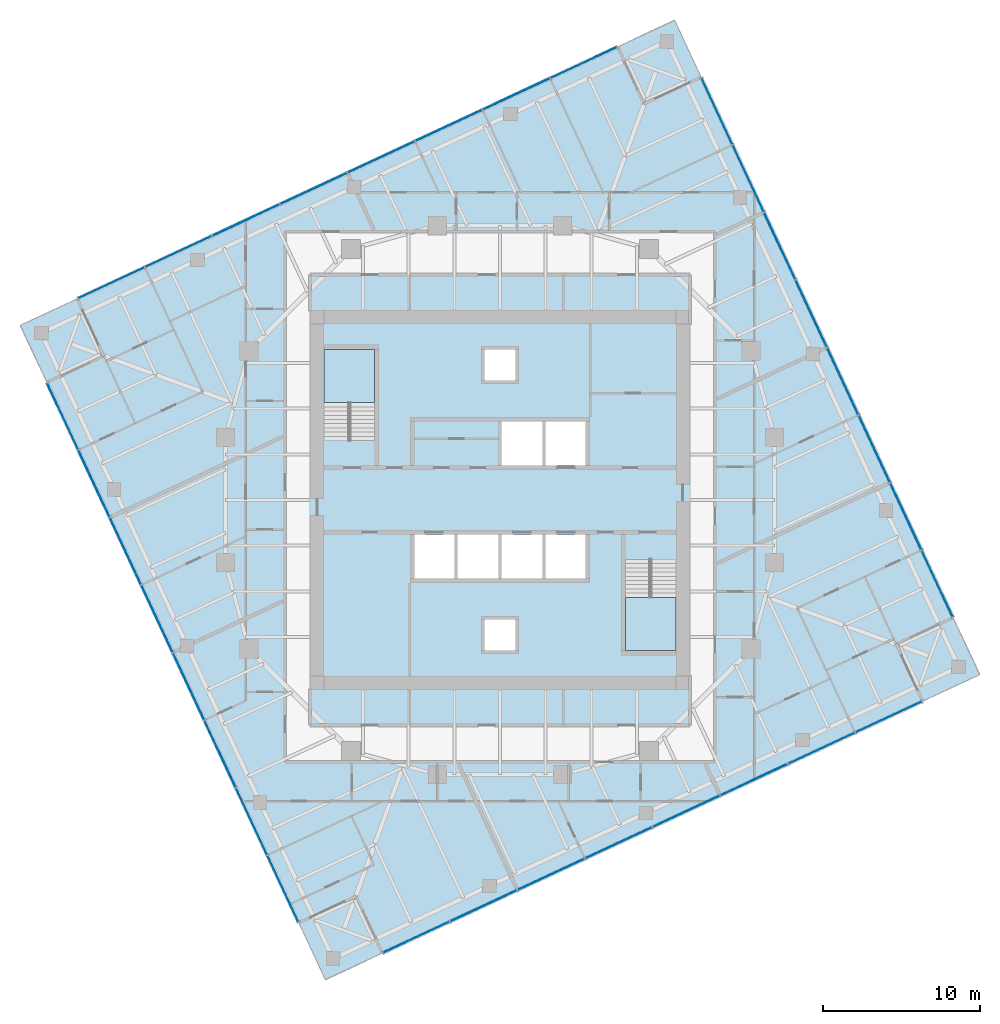
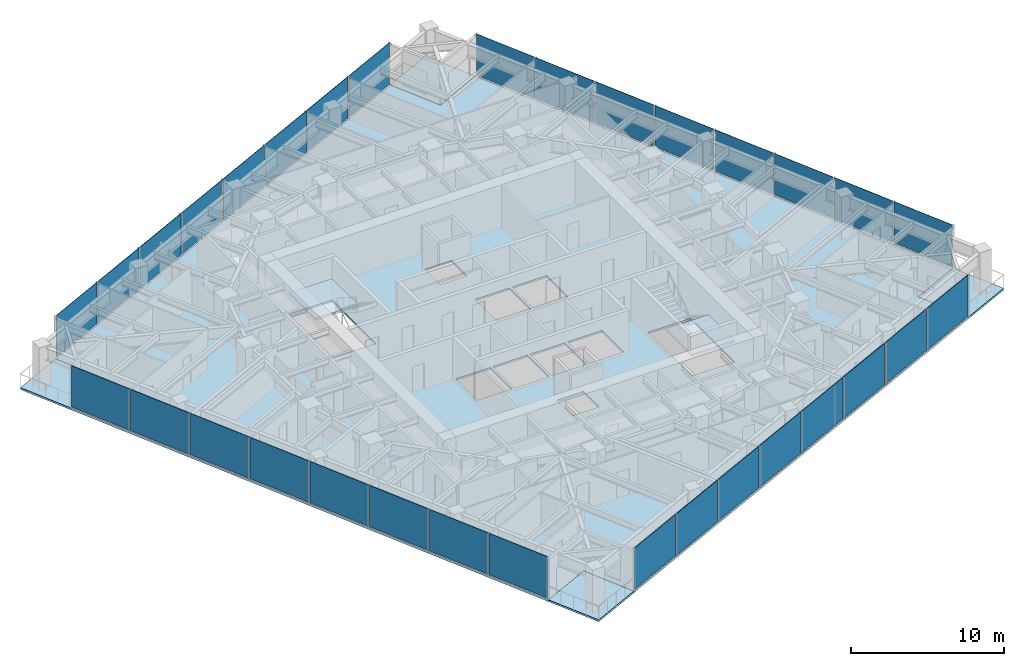
# One storey, part 6 of 12: 32 plates, 7 slabs, 6 elements without a shape of their own.
"""IFC4 building model written with IfcOpenShell, lengths in metres."""

from ifc_helpers import new_model, si_unit, direction, frame, origin, origin_2d, place, context, subcontext, project, spatial, polyline, rectangle, outline, extrude, material, layer, layer_set, type_object, element, aggregate, save


model = new_model("IFC4")

# Units and contexts
model_context = context("Model", 3, precision=1e-05, world=origin(), true_north=direction((0.0, 1.0)))
body_context = subcontext(model_context, "Body", "Model", "MODEL_VIEW")
ifc_project = project(units=[si_unit("LENGTHUNIT", "METRE"), si_unit("AREAUNIT", "SQUARE_METRE"), si_unit("VOLUMEUNIT", "CUBIC_METRE"), si_unit("PLANEANGLEUNIT", "RADIAN"), si_unit("MASSUNIT", "GRAM", prefix="KILO")], contexts=[model_context])

# Site, building, storey
site_placement = place(None, origin())
site = spatial("IfcSite", under=ifc_project, at=site_placement, CompositionType="ELEMENT")
building_placement = place(site_placement, origin())
building = spatial("IfcBuilding", under=site, at=building_placement, Name="Torsade Residences", CompositionType="ELEMENT")
storey_placement = place(building_placement, frame((0.0, 0.0, 193.0)))
storey = spatial("IfcBuildingStorey", under=building, at=storey_placement, Name="L53", CompositionType="ELEMENT", Elevation=193.0)

# Slab
ifc_material_1 = material(Name="Concrete 40 MPa", Category="concrete")
ifc_layer_1 = layer(ifc_material_1, 0.14990234375)
ifc_layer_set_1 = layer_set([ifc_layer_1], Name="Concrete 40 MPa")
slab_type_1 = type_object("IfcSlabType", Name="COMPOSITE FLOOR SLAB 150", PredefinedType="FLOOR", material=ifc_layer_set_1)
slab_1_placement = place(storey_placement, frame((0.0, 0.0, -0.14990234375)))
element("IfcSlab", 1, at=slab_1_placement, inside=storey, type_object=slab_type_1, Name="Floor slab L53", PredefinedType="FLOOR", context=body_context, shape_type="SweptSolid", body=[
    extrude(outline(polyline([(32.50048828125, 1.125244140625), (66.940185546875, 17.1845703125), (65.24951171875, 20.809814453125), (68.874755859375, 22.50048828125), (52.8154296875, 56.940185546875), (49.190185546875, 55.24951171875), (47.49951171875, 58.874755859375), (13.059814453125, 42.8154296875), (14.75048828125, 39.190185546875), (11.125244140625, 37.49951171875), (27.1845703125, 3.059814453125), (30.809814453125, 4.75048828125), (32.50048828125, 1.125244140625)]), holes=[polyline([(51.199951171875, 26.1201171875), (48.0, 26.1201171875), (48.0, 20.39990234375), (51.199951171875, 20.39990234375), (51.199951171875, 26.1201171875)]), polyline([(45.5, 27.800048828125), (42.89990234375, 27.800048828125), (42.89990234375, 25.0), (45.5, 25.0), (45.5, 27.800048828125)]), polyline([(45.5, 35.0), (42.89990234375, 35.0), (42.89990234375, 32.199951171875), (45.5, 32.199951171875), (45.5, 35.0)]), polyline([(42.699951171875, 25.0), (42.699951171875, 27.800048828125), (40.10009765625, 27.800048828125), (40.10009765625, 25.0), (42.699951171875, 25.0)]), polyline([(42.699951171875, 35.0), (40.10009765625, 35.0), (40.10009765625, 32.199951171875), (42.699951171875, 32.199951171875), (42.699951171875, 35.0)]), polyline([(41.0, 22.39990234375), (39.0, 22.39990234375), (39.0, 20.39990234375), (41.0, 20.39990234375), (41.0, 22.39990234375)]), polyline([(41.0, 37.60009765625), (41.0, 39.60009765625), (39.0, 39.60009765625), (39.0, 37.60009765625), (41.0, 37.60009765625)]), polyline([(39.89990234375, 25.0), (39.89990234375, 27.800048828125), (37.300048828125, 27.800048828125), (37.300048828125, 25.0), (39.89990234375, 25.0)]), polyline([(37.10009765625, 27.800048828125), (34.5, 27.800048828125), (34.5, 25.0), (37.10009765625, 25.0), (37.10009765625, 27.800048828125)]), polyline([(32.0, 33.8798828125), (32.0, 39.60009765625), (28.800048828125, 39.60009765625), (28.800048828125, 33.8798828125), (32.0, 33.8798828125)])]), origin(), (0.0, 0.0, 1.0), 0.14990234375),
])

# Curtain wall, plates
ifc_material_2 = material(Name="Aluminium and glass", Category="aluminium")
curtain_wall_type = type_object("IfcCurtainWallType", Name="FRITTED GLASS CURTAIN WALL MID ZONE", PredefinedType="NOTDEFINED", material=ifc_material_2)
curtain_wall_1_placement = place(storey_placement, origin())
curtain_wall_1 = element("IfcCurtainWall", 2, at=curtain_wall_1_placement, inside=storey, type_object=curtain_wall_type, Name="Curtain wall L53 face 1", PredefinedType="NOTDEFINED")
ifc_material_3 = material(Name="Laminated glass", Category="glass")
ifc_layer_2 = layer(ifc_material_3, 0.031982421875)
ifc_layer_set_2 = layer_set([ifc_layer_2], Name="Laminated glass")
plate_type_1 = type_object("IfcPlateType", Name="FRITTED GLASS PANEL", PredefinedType="CURTAIN_PANEL", material=ifc_layer_set_2)
plate_1_placement = place(storey_placement, frame((34.6708984375, 2.137451171875, 0.10986328125), z_axis=(0.0, 0.0, 1.0), x_axis=(0.906307786926, 0.422618261978, 0.0)))
plate_1 = element("IfcPlate", 3, at=plate_1_placement, type_object=plate_type_1, Name="Panel 1", PredefinedType="CURTAIN_PANEL", context=body_context, shape_type="SweptSolid", body=[
    extrude(rectangle(XDim=4.6298828125, YDim=0.031982421875, at=origin_2d()), origin(), (0.0, 0.0, 1.0), 3.2900390625),
])
plate_2_placement = place(storey_placement, frame((43.2626953125, 6.143798828125, 0.10986328125), z_axis=(0.0, 0.0, 1.0), x_axis=(0.906307786926, 0.422618261978, 0.0)))
plate_2 = element("IfcPlate", 4, at=plate_2_placement, type_object=plate_type_1, Name="Panel 3", PredefinedType="CURTAIN_PANEL", context=body_context, shape_type="SweptSolid", body=[
    extrude(rectangle(XDim=4.669921875, YDim=0.031982421875, at=origin_2d()), origin(), (0.0, 0.0, 1.0), 3.2900390625),
])
plate_3_placement = place(storey_placement, frame((47.567626953125, 8.151123046875, 0.10986328125), z_axis=(0.0, 0.0, 1.0), x_axis=(0.906307786926, 0.422618261978, 0.0)))
plate_3 = element("IfcPlate", 5, at=plate_3_placement, type_object=plate_type_1, Name="Panel 4", PredefinedType="CURTAIN_PANEL", context=body_context, shape_type="SweptSolid", body=[
    extrude(rectangle(XDim=4.669921875, YDim=0.031982421875, at=origin_2d()), origin(), (0.0, 0.0, 1.0), 3.2900390625),
])
plate_4_placement = place(storey_placement, frame((51.872802734375, 10.15869140625, 0.10986328125), z_axis=(0.0, 0.0, 1.0), x_axis=(0.906307786926, 0.422618261978, 0.0)))
plate_4 = element("IfcPlate", 6, at=plate_4_placement, type_object=plate_type_1, Name="Panel 5", PredefinedType="CURTAIN_PANEL", context=body_context, shape_type="SweptSolid", body=[
    extrude(rectangle(XDim=4.669921875, YDim=0.031982421875, at=origin_2d()), origin(), (0.0, 0.0, 1.0), 3.2900390625),
])
plate_5_placement = place(storey_placement, frame((60.482666015625, 14.173583984375, 0.10986328125), z_axis=(0.0, 0.0, 1.0), x_axis=(0.906307786926, 0.422618261978, 0.0)))
plate_5 = element("IfcPlate", 7, at=plate_5_placement, type_object=plate_type_1, Name="Panel 7", PredefinedType="CURTAIN_PANEL", context=body_context, shape_type="SweptSolid", body=[
    extrude(rectangle(XDim=4.669921875, YDim=0.031982421875, at=origin_2d()), origin(), (0.0, 0.0, 1.0), 3.2900390625),
])
plate_6_placement = place(storey_placement, frame((64.76953125, 16.172607421875, 0.10986328125), z_axis=(0.0, 0.0, 1.0), x_axis=(0.906307786926, 0.422618261978, 0.0)))
plate_6 = element("IfcPlate", 8, at=plate_6_placement, type_object=plate_type_1, Name="Panel 8", PredefinedType="CURTAIN_PANEL", context=body_context, shape_type="SweptSolid", body=[
    extrude(rectangle(XDim=4.6298828125, YDim=0.031982421875, at=origin_2d()), origin(), (0.0, 0.0, 1.0), 3.2900390625),
])

curtain_wall_2_placement = place(storey_placement, origin())
curtain_wall_2 = element("IfcCurtainWall", 9, at=curtain_wall_2_placement, inside=storey, type_object=curtain_wall_type, Name="Curtain wall L53 face 4", PredefinedType="NOTDEFINED")
plate_7_placement = place(storey_placement, frame((67.862548828125, 24.6708984375, 0.10986328125), z_axis=(0.0, 0.0, 1.0), x_axis=(-0.422618261978, 0.906307786926, 0.0)))
plate_7 = element("IfcPlate", 10, at=plate_7_placement, type_object=plate_type_1, Name="Panel 1", PredefinedType="CURTAIN_PANEL", context=body_context, shape_type="SweptSolid", body=[
    extrude(rectangle(XDim=4.6298828125, YDim=0.031982421875, at=origin_2d()), origin(), (0.0, 0.0, 1.0), 3.2900390625),
])
plate_8_placement = place(storey_placement, frame((63.856201171875, 33.2626953125, 0.10986328125), z_axis=(0.0, 0.0, 1.0), x_axis=(-0.422618261978, 0.906307786926, 0.0)))
plate_8 = element("IfcPlate", 11, at=plate_8_placement, type_object=plate_type_1, Name="Panel 3", PredefinedType="CURTAIN_PANEL", context=body_context, shape_type="SweptSolid", body=[
    extrude(rectangle(XDim=4.669921875, YDim=0.031982421875, at=origin_2d()), origin(), (0.0, 0.0, 1.0), 3.2900390625),
])
plate_9_placement = place(storey_placement, frame((61.848876953125, 37.567626953125, 0.10986328125), z_axis=(0.0, 0.0, 1.0), x_axis=(-0.422618261978, 0.906307786926, 0.0)))
plate_9 = element("IfcPlate", 12, at=plate_9_placement, type_object=plate_type_1, Name="Panel 4", PredefinedType="CURTAIN_PANEL", context=body_context, shape_type="SweptSolid", body=[
    extrude(rectangle(XDim=4.669921875, YDim=0.031982421875, at=origin_2d()), origin(), (0.0, 0.0, 1.0), 3.2900390625),
])
plate_10_placement = place(storey_placement, frame((59.84130859375, 41.872802734375, 0.10986328125), z_axis=(0.0, 0.0, 1.0), x_axis=(-0.422618261978, 0.906307786926, 0.0)))
plate_10 = element("IfcPlate", 13, at=plate_10_placement, type_object=plate_type_1, Name="Panel 5", PredefinedType="CURTAIN_PANEL", context=body_context, shape_type="SweptSolid", body=[
    extrude(rectangle(XDim=4.669921875, YDim=0.031982421875, at=origin_2d()), origin(), (0.0, 0.0, 1.0), 3.2900390625),
])
plate_11_placement = place(storey_placement, frame((55.826416015625, 50.482666015625, 0.10986328125), z_axis=(0.0, 0.0, 1.0), x_axis=(-0.422618261978, 0.906307786926, 0.0)))
plate_11 = element("IfcPlate", 14, at=plate_11_placement, type_object=plate_type_1, Name="Panel 7", PredefinedType="CURTAIN_PANEL", context=body_context, shape_type="SweptSolid", body=[
    extrude(rectangle(XDim=4.669921875, YDim=0.031982421875, at=origin_2d()), origin(), (0.0, 0.0, 1.0), 3.2900390625),
])
plate_12_placement = place(storey_placement, frame((53.827392578125, 54.76953125, 0.10986328125), z_axis=(0.0, 0.0, 1.0), x_axis=(-0.422618261978, 0.906307786926, 0.0)))
plate_12 = element("IfcPlate", 15, at=plate_12_placement, type_object=plate_type_1, Name="Panel 8", PredefinedType="CURTAIN_PANEL", context=body_context, shape_type="SweptSolid", body=[
    extrude(rectangle(XDim=4.6298828125, YDim=0.031982421875, at=origin_2d()), origin(), (0.0, 0.0, 1.0), 3.2900390625),
])

curtain_wall_3_placement = place(storey_placement, origin())
curtain_wall_3 = element("IfcCurtainWall", 16, at=curtain_wall_3_placement, inside=storey, type_object=curtain_wall_type, Name="Curtain wall L53 face 7", PredefinedType="NOTDEFINED")
plate_13_placement = place(storey_placement, frame((45.3291015625, 57.862548828125, 0.10986328125), z_axis=(0.0, 0.0, 1.0), x_axis=(-0.906307786926, -0.422618261978, 0.0)))
plate_13 = element("IfcPlate", 17, at=plate_13_placement, type_object=plate_type_1, Name="Panel 1", PredefinedType="CURTAIN_PANEL", context=body_context, shape_type="SweptSolid", body=[
    extrude(rectangle(XDim=4.6298828125, YDim=0.031982421875, at=origin_2d()), origin(), (0.0, 0.0, 1.0), 3.2900390625),
])
plate_14_placement = place(storey_placement, frame((36.7373046875, 53.856201171875, 0.10986328125), z_axis=(0.0, 0.0, 1.0), x_axis=(-0.906307786926, -0.422618261978, 0.0)))
plate_14 = element("IfcPlate", 18, at=plate_14_placement, type_object=plate_type_1, Name="Panel 3", PredefinedType="CURTAIN_PANEL", context=body_context, shape_type="SweptSolid", body=[
    extrude(rectangle(XDim=4.669921875, YDim=0.031982421875, at=origin_2d()), origin(), (0.0, 0.0, 1.0), 3.2900390625),
])
plate_15_placement = place(storey_placement, frame((32.432373046875, 51.848876953125, 0.10986328125), z_axis=(0.0, 0.0, 1.0), x_axis=(-0.906307786926, -0.422618261978, 0.0)))
plate_15 = element("IfcPlate", 19, at=plate_15_placement, type_object=plate_type_1, Name="Panel 4", PredefinedType="CURTAIN_PANEL", context=body_context, shape_type="SweptSolid", body=[
    extrude(rectangle(XDim=4.669921875, YDim=0.031982421875, at=origin_2d()), origin(), (0.0, 0.0, 1.0), 3.2900390625),
])
plate_16_placement = place(storey_placement, frame((28.127197265625, 49.84130859375, 0.10986328125), z_axis=(0.0, 0.0, 1.0), x_axis=(-0.906307786926, -0.422618261978, 0.0)))
plate_16 = element("IfcPlate", 20, at=plate_16_placement, type_object=plate_type_1, Name="Panel 5", PredefinedType="CURTAIN_PANEL", context=body_context, shape_type="SweptSolid", body=[
    extrude(rectangle(XDim=4.669921875, YDim=0.031982421875, at=origin_2d()), origin(), (0.0, 0.0, 1.0), 3.2900390625),
])
plate_17_placement = place(storey_placement, frame((19.517333984375, 45.826416015625, 0.10986328125), z_axis=(0.0, 0.0, 1.0), x_axis=(-0.906307786926, -0.422618261978, 0.0)))
plate_17 = element("IfcPlate", 21, at=plate_17_placement, type_object=plate_type_1, Name="Panel 7", PredefinedType="CURTAIN_PANEL", context=body_context, shape_type="SweptSolid", body=[
    extrude(rectangle(XDim=4.669921875, YDim=0.031982421875, at=origin_2d()), origin(), (0.0, 0.0, 1.0), 3.2900390625),
])
plate_18_placement = place(storey_placement, frame((15.23046875, 43.827392578125, 0.10986328125), z_axis=(0.0, 0.0, 1.0), x_axis=(-0.906307786926, -0.422618261978, 0.0)))
plate_18 = element("IfcPlate", 22, at=plate_18_placement, type_object=plate_type_1, Name="Panel 8", PredefinedType="CURTAIN_PANEL", context=body_context, shape_type="SweptSolid", body=[
    extrude(rectangle(XDim=4.6298828125, YDim=0.031982421875, at=origin_2d()), origin(), (0.0, 0.0, 1.0), 3.2900390625),
])

curtain_wall_4_placement = place(storey_placement, origin())
curtain_wall_4 = element("IfcCurtainWall", 23, at=curtain_wall_4_placement, inside=storey, type_object=curtain_wall_type, Name="Curtain wall L53 face 10", PredefinedType="NOTDEFINED")
plate_19_placement = place(storey_placement, frame((12.137451171875, 35.3291015625, 0.10986328125), z_axis=(0.0, 0.0, 1.0), x_axis=(0.422618261978, -0.906307786926, 0.0)))
plate_19 = element("IfcPlate", 24, at=plate_19_placement, type_object=plate_type_1, Name="Panel 1", PredefinedType="CURTAIN_PANEL", context=body_context, shape_type="SweptSolid", body=[
    extrude(rectangle(XDim=4.6298828125, YDim=0.031982421875, at=origin_2d()), origin(), (0.0, 0.0, 1.0), 3.2900390625),
])
plate_20_placement = place(storey_placement, frame((16.143798828125, 26.7373046875, 0.10986328125), z_axis=(0.0, 0.0, 1.0), x_axis=(0.422618261978, -0.906307786926, 0.0)))
plate_20 = element("IfcPlate", 25, at=plate_20_placement, type_object=plate_type_1, Name="Panel 3", PredefinedType="CURTAIN_PANEL", context=body_context, shape_type="SweptSolid", body=[
    extrude(rectangle(XDim=4.669921875, YDim=0.031982421875, at=origin_2d()), origin(), (0.0, 0.0, 1.0), 3.2900390625),
])
plate_21_placement = place(storey_placement, frame((18.151123046875, 22.432373046875, 0.10986328125), z_axis=(0.0, 0.0, 1.0), x_axis=(0.422618261978, -0.906307786926, 0.0)))
plate_21 = element("IfcPlate", 26, at=plate_21_placement, type_object=plate_type_1, Name="Panel 4", PredefinedType="CURTAIN_PANEL", context=body_context, shape_type="SweptSolid", body=[
    extrude(rectangle(XDim=4.669921875, YDim=0.031982421875, at=origin_2d()), origin(), (0.0, 0.0, 1.0), 3.2900390625),
])
plate_22_placement = place(storey_placement, frame((20.15869140625, 18.127197265625, 0.10986328125), z_axis=(0.0, 0.0, 1.0), x_axis=(0.422618261978, -0.906307786926, 0.0)))
plate_22 = element("IfcPlate", 27, at=plate_22_placement, type_object=plate_type_1, Name="Panel 5", PredefinedType="CURTAIN_PANEL", context=body_context, shape_type="SweptSolid", body=[
    extrude(rectangle(XDim=4.669921875, YDim=0.031982421875, at=origin_2d()), origin(), (0.0, 0.0, 1.0), 3.2900390625),
])
plate_23_placement = place(storey_placement, frame((24.173583984375, 9.517333984375, 0.10986328125), z_axis=(0.0, 0.0, 1.0), x_axis=(0.422618261978, -0.906307786926, 0.0)))
plate_23 = element("IfcPlate", 28, at=plate_23_placement, type_object=plate_type_1, Name="Panel 7", PredefinedType="CURTAIN_PANEL", context=body_context, shape_type="SweptSolid", body=[
    extrude(rectangle(XDim=4.669921875, YDim=0.031982421875, at=origin_2d()), origin(), (0.0, 0.0, 1.0), 3.2900390625),
])
plate_24_placement = place(storey_placement, frame((26.172607421875, 5.23046875, 0.10986328125), z_axis=(0.0, 0.0, 1.0), x_axis=(0.422618261978, -0.906307786926, 0.0)))
plate_24 = element("IfcPlate", 29, at=plate_24_placement, type_object=plate_type_1, Name="Panel 8", PredefinedType="CURTAIN_PANEL", context=body_context, shape_type="SweptSolid", body=[
    extrude(rectangle(XDim=4.6298828125, YDim=0.031982421875, at=origin_2d()), origin(), (0.0, 0.0, 1.0), 3.2900390625),
])

# Plate
ifc_material_4 = material(Name="Laminated glass", Category="glass")
ifc_layer_3 = layer(ifc_material_4, 0.0400390625)
ifc_layer_set_3 = layer_set([ifc_layer_3], Name="Laminated glass")
plate_type_2 = type_object("IfcPlateType", Name="OPERABLE VENT PANEL", PredefinedType="CURTAIN_PANEL", material=ifc_layer_set_3)
plate_25_placement = place(storey_placement, frame((38.957763671875, 4.13623046875, 0.10986328125), z_axis=(0.0, 0.0, 1.0), x_axis=(0.906307786926, 0.422618261978, 0.0)))
plate_25 = element("IfcPlate", 30, at=plate_25_placement, type_object=plate_type_2, Name="Panel 2", PredefinedType="CURTAIN_PANEL", context=body_context, shape_type="SweptSolid", body=[
    extrude(rectangle(XDim=4.669921875, YDim=0.0400390625, at=origin_2d()), origin(), (0.0, 0.0, 1.0), 3.2900390625),
])

plate_26_placement = place(storey_placement, frame((56.177734375, 12.166015625, 0.10986328125), z_axis=(0.0, 0.0, 1.0), x_axis=(0.906307786926, 0.422618261978, 0.0)))
plate_26 = element("IfcPlate", 31, at=plate_26_placement, type_object=plate_type_2, Name="Panel 6", PredefinedType="CURTAIN_PANEL", context=body_context, shape_type="SweptSolid", body=[
    extrude(rectangle(XDim=4.669921875, YDim=0.0400390625, at=origin_2d()), origin(), (0.0, 0.0, 1.0), 3.2900390625),
])

aggregate(curtain_wall_1, [plate_1, plate_25, plate_2, plate_3, plate_4, plate_26, plate_5, plate_6])

plate_27_placement = place(storey_placement, frame((65.86376953125, 28.957763671875, 0.10986328125), z_axis=(0.0, 0.0, 1.0), x_axis=(-0.422618261978, 0.906307786926, 0.0)))
plate_27 = element("IfcPlate", 32, at=plate_27_placement, type_object=plate_type_2, Name="Panel 2", PredefinedType="CURTAIN_PANEL", context=body_context, shape_type="SweptSolid", body=[
    extrude(rectangle(XDim=4.669921875, YDim=0.0400390625, at=origin_2d()), origin(), (0.0, 0.0, 1.0), 3.2900390625),
])

plate_28_placement = place(storey_placement, frame((57.833984375, 46.177734375, 0.10986328125), z_axis=(0.0, 0.0, 1.0), x_axis=(-0.422618261978, 0.906307786926, 0.0)))
plate_28 = element("IfcPlate", 33, at=plate_28_placement, type_object=plate_type_2, Name="Panel 6", PredefinedType="CURTAIN_PANEL", context=body_context, shape_type="SweptSolid", body=[
    extrude(rectangle(XDim=4.669921875, YDim=0.0400390625, at=origin_2d()), origin(), (0.0, 0.0, 1.0), 3.2900390625),
])

aggregate(curtain_wall_2, [plate_7, plate_27, plate_8, plate_9, plate_10, plate_28, plate_11, plate_12])

plate_29_placement = place(storey_placement, frame((41.042236328125, 55.86376953125, 0.10986328125), z_axis=(0.0, 0.0, 1.0), x_axis=(-0.906307786926, -0.422618261978, 0.0)))
plate_29 = element("IfcPlate", 34, at=plate_29_placement, type_object=plate_type_2, Name="Panel 2", PredefinedType="CURTAIN_PANEL", context=body_context, shape_type="SweptSolid", body=[
    extrude(rectangle(XDim=4.669921875, YDim=0.0400390625, at=origin_2d()), origin(), (0.0, 0.0, 1.0), 3.2900390625),
])

plate_30_placement = place(storey_placement, frame((23.822265625, 47.833984375, 0.10986328125), z_axis=(0.0, 0.0, 1.0), x_axis=(-0.906307786926, -0.422618261978, 0.0)))
plate_30 = element("IfcPlate", 35, at=plate_30_placement, type_object=plate_type_2, Name="Panel 6", PredefinedType="CURTAIN_PANEL", context=body_context, shape_type="SweptSolid", body=[
    extrude(rectangle(XDim=4.669921875, YDim=0.0400390625, at=origin_2d()), origin(), (0.0, 0.0, 1.0), 3.2900390625),
])

aggregate(curtain_wall_3, [plate_13, plate_29, plate_14, plate_15, plate_16, plate_30, plate_17, plate_18])

plate_31_placement = place(storey_placement, frame((14.13623046875, 31.042236328125, 0.10986328125), z_axis=(0.0, 0.0, 1.0), x_axis=(0.422618261978, -0.906307786926, 0.0)))
plate_31 = element("IfcPlate", 36, at=plate_31_placement, type_object=plate_type_2, Name="Panel 2", PredefinedType="CURTAIN_PANEL", context=body_context, shape_type="SweptSolid", body=[
    extrude(rectangle(XDim=4.669921875, YDim=0.0400390625, at=origin_2d()), origin(), (0.0, 0.0, 1.0), 3.2900390625),
])

plate_32_placement = place(storey_placement, frame((22.166015625, 13.822265625, 0.10986328125), z_axis=(0.0, 0.0, 1.0), x_axis=(0.422618261978, -0.906307786926, 0.0)))
plate_32 = element("IfcPlate", 37, at=plate_32_placement, type_object=plate_type_2, Name="Panel 6", PredefinedType="CURTAIN_PANEL", context=body_context, shape_type="SweptSolid", body=[
    extrude(rectangle(XDim=4.669921875, YDim=0.0400390625, at=origin_2d()), origin(), (0.0, 0.0, 1.0), 3.2900390625),
])

aggregate(curtain_wall_4, [plate_19, plate_31, plate_20, plate_21, plate_22, plate_32, plate_23, plate_24])

# Stair, slab
ifc_material_5 = material(Name="Precast concrete 40 MPa", Category="concrete")
stair_type = type_object("IfcStairType", Name="HALF-TURN FIRE STAIR 1500x3400", PredefinedType="HALF_TURN_STAIR", material=ifc_material_5)
stair_1_placement = place(storey_placement, origin())
stair_1 = element("IfcStair", 38, at=stair_1_placement, inside=storey, type_object=stair_type, Name="Stair ST1 L53", PredefinedType="HALF_TURN_STAIR")
ifc_material_6 = material(Name="Precast concrete 40 MPa", Category="concrete")
ifc_layer_4 = layer(ifc_material_6, 0.179931640625)
ifc_layer_set_4 = layer_set([ifc_layer_4], Name="Precast concrete 40 MPa")
slab_type_2 = type_object("IfcSlabType", Name="PRECAST STAIR LANDING 180", PredefinedType="LANDING", material=ifc_layer_set_4)
slab_2_placement = place(storey_placement, frame((0.0, 0.0, 1.52001953125)))
slab_2 = element("IfcSlab", 39, at=slab_2_placement, type_object=slab_type_2, Name="ST1 landing 1", PredefinedType="LANDING", context=body_context, shape_type="SweptSolid", body=[
    extrude(outline(polyline([(28.800048828125, 36.2099609375), (32.0, 36.2099609375), (32.0, 39.60009765625), (28.800048828125, 39.60009765625), (28.800048828125, 36.2099609375)])), origin(), (0.0, 0.0, 1.0), 0.179931640625),
])
aggregate(stair_1, [slab_2])

stair_2_placement = place(storey_placement, origin())
stair_2 = element("IfcStair", 40, at=stair_2_placement, inside=storey, type_object=stair_type, Name="Stair ST2 L53", PredefinedType="HALF_TURN_STAIR")
slab_3_placement = place(storey_placement, frame((0.0, 0.0, 1.52001953125)))
slab_3 = element("IfcSlab", 41, at=slab_3_placement, type_object=slab_type_2, Name="ST2 landing 1", PredefinedType="LANDING", context=body_context, shape_type="SweptSolid", body=[
    extrude(outline(polyline([(48.0, 20.39990234375), (51.199951171875, 20.39990234375), (51.199951171875, 23.7900390625), (48.0, 23.7900390625), (48.0, 20.39990234375)])), origin(), (0.0, 0.0, 1.0), 0.179931640625),
])
aggregate(stair_2, [slab_3])

# Slabs
ifc_material_7 = material(Name="Concrete 40 MPa", Category="concrete")
ifc_layer_5 = layer(ifc_material_7, 0.14990234375)
ifc_layer_set_5 = layer_set([ifc_layer_5], Name="Concrete 40 MPa")
slab_type_3 = type_object("IfcSlabType", Name="TERRACE SLAB 150", PredefinedType="FLOOR", material=ifc_layer_set_5)
slab_4_placement = place(storey_placement, frame((0.0, 0.0, -0.14990234375)))
element("IfcSlab", 42, at=slab_4_placement, inside=storey, type_object=slab_type_3, Name="Corner terrace slab SE L53", PredefinedType="FLOOR", context=body_context, shape_type="SweptSolid", body=[
    extrude(outline(polyline([(66.940185546875, 17.1845703125), (70.565185546875, 18.875244140625), (68.874755859375, 22.50048828125), (65.24951171875, 20.809814453125), (66.940185546875, 17.1845703125)])), origin(), (0.0, 0.0, 1.0), 0.14990234375),
])
slab_5_placement = place(storey_placement, frame((0.0, 0.0, -0.14990234375)))
element("IfcSlab", 43, at=slab_5_placement, inside=storey, type_object=slab_type_3, Name="Corner terrace slab NE L53", PredefinedType="FLOOR", context=body_context, shape_type="SweptSolid", body=[
    extrude(outline(polyline([(49.190185546875, 55.24951171875), (52.8154296875, 56.940185546875), (51.124755859375, 60.565185546875), (47.49951171875, 58.874755859375), (49.190185546875, 55.24951171875)])), origin(), (0.0, 0.0, 1.0), 0.14990234375),
])
slab_6_placement = place(storey_placement, frame((0.0, 0.0, -0.14990234375)))
element("IfcSlab", 44, at=slab_6_placement, inside=storey, type_object=slab_type_3, Name="Corner terrace slab NW L53", PredefinedType="FLOOR", context=body_context, shape_type="SweptSolid", body=[
    extrude(outline(polyline([(11.125244140625, 37.49951171875), (14.75048828125, 39.190185546875), (13.059814453125, 42.8154296875), (9.434814453125, 41.124755859375), (11.125244140625, 37.49951171875)])), origin(), (0.0, 0.0, 1.0), 0.14990234375),
])
slab_7_placement = place(storey_placement, frame((0.0, 0.0, -0.14990234375)))
element("IfcSlab", 45, at=slab_7_placement, inside=storey, type_object=slab_type_3, Name="Corner terrace slab SW L53", PredefinedType="FLOOR", context=body_context, shape_type="SweptSolid", body=[
    extrude(outline(polyline([(28.875244140625, -0.565185546875), (32.50048828125, 1.125244140625), (30.809814453125, 4.75048828125), (27.1845703125, 3.059814453125), (28.875244140625, -0.565185546875)])), origin(), (0.0, 0.0, 1.0), 0.14990234375),
])

save(model, "model.ifc")
